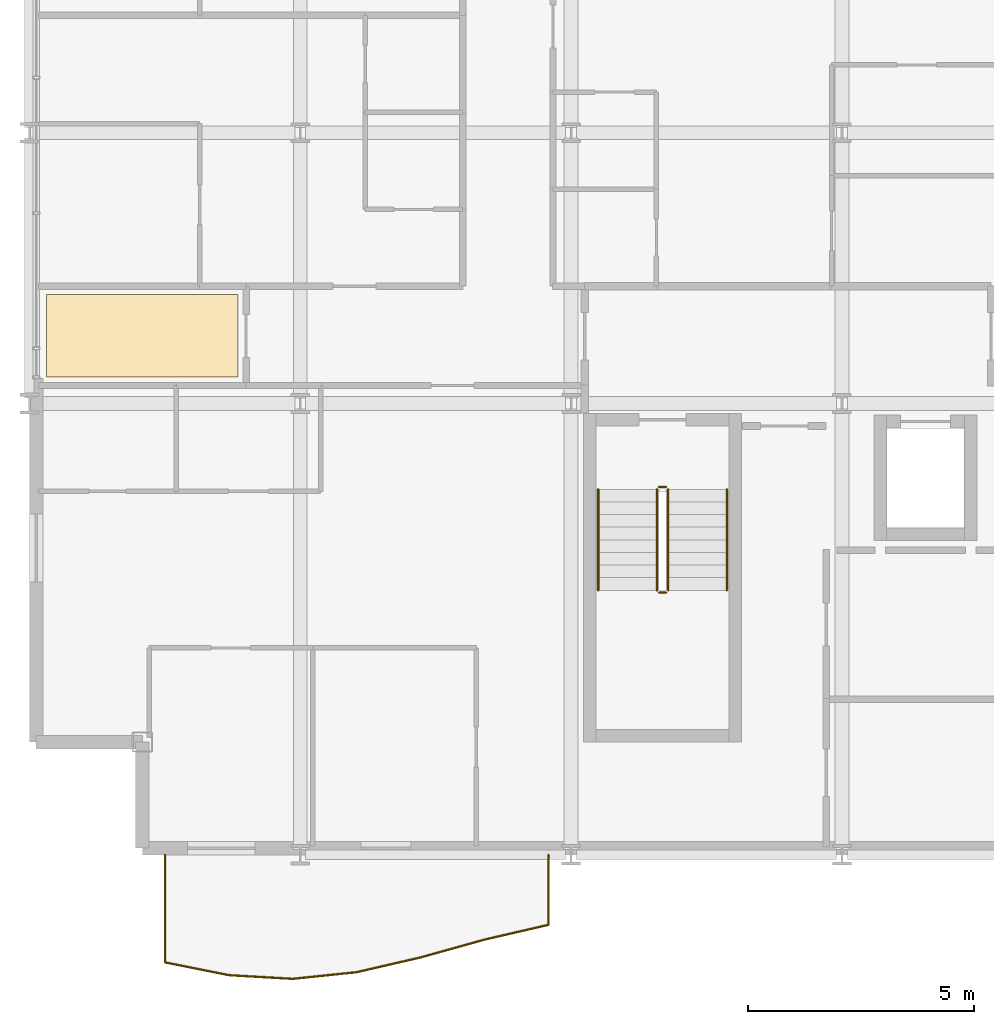
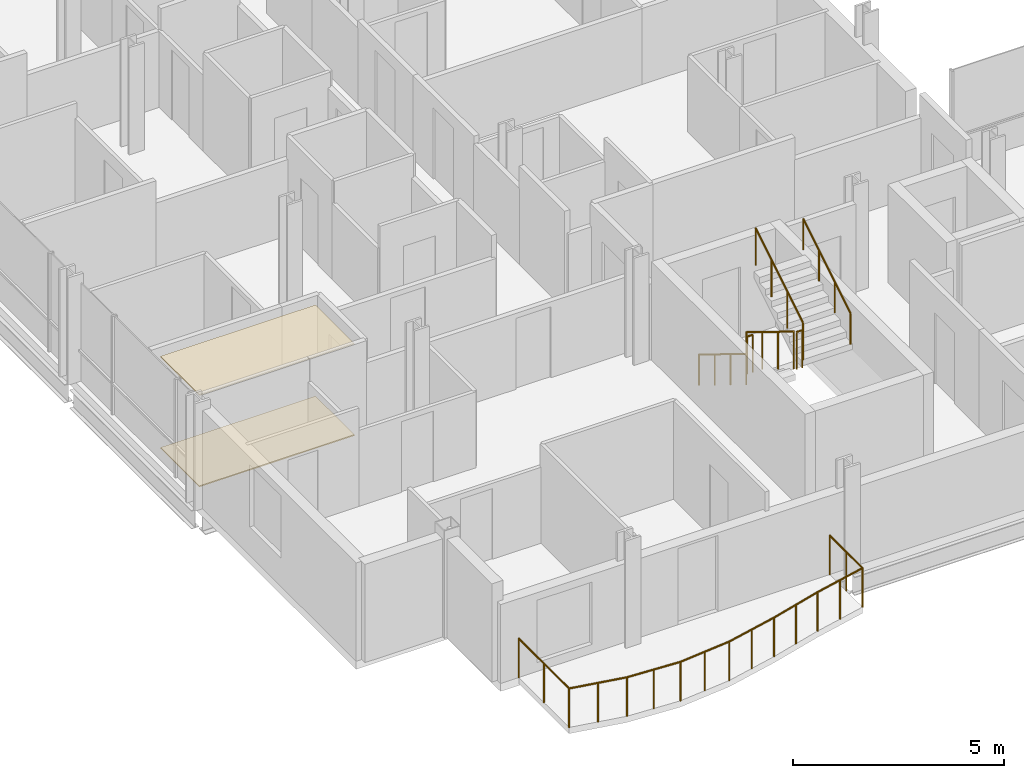
# One storey, part 38 of 41: 7 railings, 2 coverings.
"""IFC4 building model written with IfcOpenShell, lengths in metres."""

import ifcopenshell
import ifcopenshell.guid

model = None  # the IFC model being written
_history = None  # IfcOwnerHistory: only IFC2X3 demands one
_inside = {}  # id of a spatial element -> (the spatial element, [elements in it])
_under = {}  # id of a project, library or spatial element -> (it, [spatial elements below it])
_declared = {}  # id of a project -> (the project, [libraries it declares])
_typed = {}  # id of a type object -> (the type object, [elements of that type])
_made_of = {}  # id of a material, layer set ... -> (it, [elements and type objects made of it])


def new_model(schema):
    """Start an empty IFC model of exactly this schema.

    Asked for "IFC4X3", IfcOpenShell would pick the latest addendum, in which some entities
    have other attributes; the version numbers below select the first issue.
    IFC2X3 requires an IfcOwnerHistory on every rooted entity: one is made here for all.
    """
    global model, _history
    if schema == "IFC4X3":
        model = ifcopenshell.file(schema_version=(4, 3, 0, 0))
    else:
        model = ifcopenshell.file(schema=schema)
    _inside.clear()
    _under.clear()
    _declared.clear()
    _typed.clear()
    _made_of.clear()
    _history = None
    if model.schema == "IFC2X3":
        org = make("IfcOrganization", Name="unknown")
        user = make(
            "IfcPersonAndOrganization",
            ThePerson=make("IfcPerson", FamilyName="unknown"),
            TheOrganization=org,
        )
        app = make(
            "IfcApplication",
            ApplicationDeveloper=org,
            Version="unknown",
            ApplicationFullName="unknown",
            ApplicationIdentifier="unknown",
        )
        _history = make(
            "IfcOwnerHistory",
            OwningUser=user,
            OwningApplication=app,
            ChangeAction="ADDED",
            CreationDate=0,
        )
    return model


def make(cls, **values):
    """One entity of the class cls with the attributes given. An attribute that is None is left unset."""
    return model.create_entity(
        cls, **{name: value for name, value in values.items() if value is not None}
    )


def rooted(cls, **values):
    """An entity with a GlobalId (a new one), such as an element, a storey or a relation."""
    return make(cls, GlobalId=ifcopenshell.guid.new(), OwnerHistory=_history, **values)


def si_unit(unit_type, name, prefix=None):
    """IfcSIUnit, for example si_unit("LENGTHUNIT", "METRE", prefix="MILLI")."""
    return make("IfcSIUnit", UnitType=unit_type, Prefix=prefix, Name=name)


def assignment(units):
    """IfcUnitAssignment: the units of a project."""
    return None if units is None else make("IfcUnitAssignment", Units=units)


def point(xyz):
    """IfcCartesianPoint."""
    return None if xyz is None else make("IfcCartesianPoint", Coordinates=xyz)


def direction(xyz):
    """IfcDirection."""
    return None if xyz is None else make("IfcDirection", DirectionRatios=xyz)


def frame(location, z_axis=None, x_axis=None):
    """IfcAxis2Placement3D, a coordinate frame: its origin and axes. An axis left out is left unset."""
    return make(
        "IfcAxis2Placement3D",
        Location=point(location),
        Axis=direction(z_axis),
        RefDirection=direction(x_axis),
    )


def frame_2d(location, x_axis=None):
    """IfcAxis2Placement2D, a coordinate frame in the plane: its origin and x axis."""
    return make(
        "IfcAxis2Placement2D", Location=point(location), RefDirection=direction(x_axis)
    )


def origin():
    """The frame at (0, 0, 0) with its axes left unset."""
    return frame((0.0, 0.0, 0.0))


def origin_2d():
    """The frame at (0, 0) in the plane with its x axis left unset."""
    return frame_2d((0.0, 0.0))


def place(relative_to, where):
    """IfcLocalPlacement: puts the frame where relative to a parent placement (None: the world)."""
    return make(
        "IfcLocalPlacement", PlacementRelTo=relative_to, RelativePlacement=where
    )


def context(
    kind, dimensions, precision=None, world=None, true_north=None, identifier=None
):
    """IfcGeometricRepresentationContext, for example the 3D "Model" context."""
    return make(
        "IfcGeometricRepresentationContext",
        ContextIdentifier=identifier,
        ContextType=kind,
        CoordinateSpaceDimension=dimensions,
        Precision=precision,
        WorldCoordinateSystem=world,
        TrueNorth=true_north,
    )


def subcontext(parent, identifier, kind, view, scale=None):
    """IfcGeometricRepresentationSubContext, for example "Body" below "Model"."""
    return make(
        "IfcGeometricRepresentationSubContext",
        ContextIdentifier=identifier,
        ContextType=kind,
        ParentContext=parent,
        TargetScale=scale,
        TargetView=view,
    )


def project(units=None, contexts=None):
    """IfcProject with its units and contexts."""
    return rooted(
        "IfcProject",
        Name="project",
        RepresentationContexts=contexts,
        UnitsInContext=assignment(units),
    )


def spatial(cls, under=None, at=None, **own):
    """A site, building, storey or space (cls), placed at a placement, below another one or the project."""
    s = rooted(cls, ObjectPlacement=at, **own)
    if under is not None:
        _under.setdefault(under.id(), (under, []))[1].append(s)
    return s


def polyline(points):
    """IfcPolyline through the points."""
    return make("IfcPolyline", Points=[point(p) for p in points])


def profile(cls, at=None, kind="AREA", **sizes):
    """A parametric profile (cls). Its sizes go by their IFC names, for example OverallWidth=200.0."""
    return make(cls, ProfileType=kind, Position=at, **sizes)


def circle(**sizes):
    """IfcCircleProfileDef."""
    return profile("IfcCircleProfileDef", **sizes)


def outline(outer, holes=None, kind="AREA"):
    """IfcArbitraryClosedProfileDef: a profile drawn as a closed curve; with holes, ...WithVoids."""
    if holes is None:
        return make("IfcArbitraryClosedProfileDef", ProfileType=kind, OuterCurve=outer)
    return make(
        "IfcArbitraryProfileDefWithVoids",
        ProfileType=kind,
        OuterCurve=outer,
        InnerCurves=holes,
    )


def extrude(swept, where, along, depth):
    """IfcExtrudedAreaSolid: the profile swept, set in the frame where, extruded along a direction by depth."""
    return make(
        "IfcExtrudedAreaSolid",
        SweptArea=swept,
        Position=where,
        ExtrudedDirection=direction(along),
        Depth=depth,
    )


def shape(context_of_items, identifier, shape_type, items):
    """IfcShapeRepresentation: the items that make up one representation, for example the "Body"."""
    return make(
        "IfcShapeRepresentation",
        ContextOfItems=context_of_items,
        RepresentationIdentifier=identifier,
        RepresentationType=shape_type,
        Items=items,
    )


def material(Name=None, Category=None):
    """IfcMaterial."""
    return make("IfcMaterial", Name=Name, Category=Category)


def layer(
    of_material, thickness, ventilated=None, Name=None, Category=None, Priority=None
):
    """IfcMaterialLayer: one layer of a wall or slab, of a material (None: an air gap)."""
    return make(
        "IfcMaterialLayer",
        Material=of_material,
        LayerThickness=thickness,
        IsVentilated=ventilated,
        Name=Name,
        Category=Category,
        Priority=Priority,
    )


def layer_set(layers, Name=None):
    """IfcMaterialLayerSet."""
    return make("IfcMaterialLayerSet", MaterialLayers=layers, LayerSetName=Name)


def made_of(thing, what):
    """Note that an element or type object is made of a material, layer set ...; save() writes the relation."""
    if what is not None:
        _made_of.setdefault(what.id(), (what, []))[1].append(thing)
    return thing


def type_object(cls, material=None, **own):
    """A type object (cls), such as IfcWallType, which elements share."""
    return made_of(rooted(cls, **own), material)


def element(
    cls,
    number,
    at=None,
    inside=None,
    cuts=None,
    type_object=None,
    material=None,
    context=None,
    identifier="Body",
    shape_type=None,
    held_by="IfcProductDefinitionShape",
    body=None,
    shapes=None,
    **own,
):
    """One element of the class cls, such as IfcWall. Its Tag is "e" and its number.

    at: its placement. inside: the storey or other place that contains it. cuts: it is an
    opening in that element (IfcRelVoidsElement). A single representation is given by context,
    identifier, shape_type and body (its items); several are given by shapes. held_by: the class
    of the entity that holds the representations. save() writes the other relations.
    """
    e = rooted(cls, Tag="e%d" % number, ObjectPlacement=at, **own)
    if body is not None:
        shapes = [shape(context, identifier, shape_type, body)]
    if shapes is not None:
        e.Representation = make(held_by, Representations=shapes)
    if inside is not None:
        _inside.setdefault(inside.id(), (inside, []))[1].append(e)
    if cuts is not None:
        rooted(
            "IfcRelVoidsElement", RelatingBuildingElement=cuts, RelatedOpeningElement=e
        )
    if type_object is not None:
        _typed.setdefault(type_object.id(), (type_object, []))[1].append(e)
    return made_of(e, material)


def aggregate(whole, parts):
    """IfcRelAggregates: a whole, such as a stair, and the parts it consists of."""
    return rooted("IfcRelAggregates", RelatingObject=whole, RelatedObjects=parts)


def save(model, path):
    """Write the relations noted so far, then the file.

    IfcRelAggregates (storeys below a building ...), IfcRelContainedInSpatialStructure (elements
    in a storey), IfcRelDefinesByType, IfcRelAssociatesMaterial and IfcRelDeclares: one each for
    every whole, place, type object, material and project.
    """
    for whole, parts in _under.values():
        aggregate(whole, parts)
    for where, things in _inside.values():
        rooted(
            "IfcRelContainedInSpatialStructure",
            RelatedElements=things,
            RelatingStructure=where,
        )
    for kind, things in _typed.values():
        rooted("IfcRelDefinesByType", RelatedObjects=things, RelatingType=kind)
    for what, things in _made_of.values():
        rooted("IfcRelAssociatesMaterial", RelatedObjects=things, RelatingMaterial=what)
    for by, libraries in _declared.values():
        rooted("IfcRelDeclares", RelatingContext=by, RelatedDefinitions=libraries)
    model.write(path)


model = new_model("IFC4")

# Units and contexts
model_context = context("Model", 3, precision=1e-05, world=origin(), true_north=direction((0.0, 1.0)))
body_context = subcontext(model_context, "Body", "Model", "MODEL_VIEW")
ifc_project = project(units=[si_unit("LENGTHUNIT", "METRE"), si_unit("AREAUNIT", "SQUARE_METRE"), si_unit("VOLUMEUNIT", "CUBIC_METRE"), si_unit("PLANEANGLEUNIT", "RADIAN"), si_unit("MASSUNIT", "GRAM", prefix="KILO")], contexts=[model_context])

# Site, building, storey
site_placement = place(None, origin())
site = spatial("IfcSite", under=ifc_project, at=site_placement, CompositionType="ELEMENT")
building_placement = place(site_placement, origin())
building = spatial("IfcBuilding", under=site, at=building_placement, Name="Brevholm Reach", CompositionType="ELEMENT")
storey_placement = place(building_placement, frame((0.0, 0.0, 93.10009765625)))
storey = spatial("IfcBuildingStorey", under=building, at=storey_placement, Name="L27", CompositionType="ELEMENT", Elevation=93.10009765625)

# Coverings
ifc_material_1 = material(Name="Moisture-Resistant Skimmed Gypsum Plasterboard Ceiling", Category="gypsum")
ifc_layer_1 = layer(ifc_material_1, 0.030029296875)
ifc_layer_set_1 = layer_set([ifc_layer_1], Name="Moisture-Resistant Skimmed Gypsum Plasterboard Ceiling")
covering_type_1 = type_object("IfcCoveringType", Name="COV-CLG-GYP", PredefinedType="CEILING", material=ifc_layer_set_1)
covering_1_placement = place(storey_placement, frame((0.0, 0.0, 2.639892578125)))
element("IfcCovering", 1, at=covering_1_placement, inside=storey, type_object=covering_type_1, Name="L27 Suspended Ceiling L27-33", PredefinedType="CEILING", context=body_context, shape_type="SweptSolid", body=[
    extrude(outline(polyline([(0.3798828125, 12.419921875), (4.615966796875, 12.419921875), (4.615966796875, 10.583984375), (0.3798828125, 10.583984375), (0.3798828125, 12.419921875)])), origin(), (0.0, 0.0, 1.0), 0.030029296875),
])
ifc_material_2 = material(Name="Honed Portland-Aggregate Resin Terrazzo Flooring", Category="concrete")
ifc_layer_2 = layer(ifc_material_2, 0.031982421875)
ifc_layer_set_2 = layer_set([ifc_layer_2], Name="Honed Portland-Aggregate Resin Terrazzo Flooring")
covering_type_2 = type_object("IfcCoveringType", Name="COV-FLR-TRZ", PredefinedType="FLOORING", material=ifc_layer_set_2)
covering_2_placement = place(storey_placement, origin())
element("IfcCovering", 2, at=covering_2_placement, inside=storey, type_object=covering_type_2, Name="L27 Floor Finish L27-33", PredefinedType="FLOORING", context=body_context, shape_type="SweptSolid", body=[
    extrude(outline(polyline([(0.3798828125, 12.419921875), (4.615966796875, 12.419921875), (4.615966796875, 10.583984375), (0.3798828125, 10.583984375), (0.3798828125, 12.419921875)])), origin(), (0.0, 0.0, 1.0), 0.031982421875),
])

# Railings
ifc_material_3 = material(Name="Brushed Stainless Steel EN 1.4401 and Laminated Glass", Category="steel")
railing_type_1 = type_object("IfcRailingType", Name="RAL-BALC-1150", PredefinedType="BALUSTRADE", material=ifc_material_3)
railing_1_placement = place(storey_placement, frame((3.0, 0.0, 0.0)))
element("IfcRailing", 3, at=railing_1_placement, inside=storey, type_object=railing_type_1, Name="L27 Guard Balustrade RAL-L27-BAL-SW", PredefinedType="BALUSTRADE", context=body_context, shape_type="SweptSolid", body=[
    extrude(circle(Radius=0.02392578125, at=origin_2d()), frame((0.0, 0.0, 1.1259765625), z_axis=(0.0, -1.0, 0.0), x_axis=(1.0, 0.0, 0.0)), (0.0, 0.0, 1.0), 2.38134765625),
    extrude(circle(Radius=0.02392578125, at=origin_2d()), frame((0.0, -2.38134765625, 1.1259765625), z_axis=(0.980502614423, -0.196506038355, 0.0), x_axis=(0.196506038355, 0.980502614423, 0.0)), (0.0, 0.0, 1.0), 1.44482421875),
    extrude(circle(Radius=0.02392578125, at=origin_2d()), frame((1.416748046875, -2.665283203125, 1.1259765625), z_axis=(0.998327360231, -0.057814200799, 0.0), x_axis=(0.057814200799, 0.998327360231, 0.0)), (0.0, 0.0, 1.0), 1.4189453125),
    extrude(circle(Radius=0.02392578125, at=origin_2d()), frame((2.833251953125, -2.747314453125, 1.1259765625), z_axis=(0.994609205974, 0.103694394212, 0.0), x_axis=(-0.103694394212, 0.994609205974, 0.0)), (0.0, 0.0, 1.0), 1.42431640625),
    extrude(circle(Radius=0.02392578125, at=origin_2d()), frame((4.25, -2.599609375, 1.1259765625), z_axis=(0.974360057668, 0.224994395533, 0.0), x_axis=(-0.224994395533, 0.974360057668, 0.0)), (0.0, 0.0, 1.0), 1.4541015625),
    extrude(circle(Radius=0.02392578125, at=origin_2d()), frame((5.666748046875, -2.2724609375, 1.1259765625), z_axis=(0.963289212232, 0.268465814578, 0.0), x_axis=(-0.268465814578, 0.963289212232, 0.0)), (0.0, 0.0, 1.0), 1.470458984375),
    extrude(circle(Radius=0.02392578125, at=origin_2d()), frame((7.083251953125, -1.877685546875, 1.1259765625), z_axis=(0.974323236677, 0.225153792932, 0.0), x_axis=(-0.225153792932, 0.974323236677, 0.0)), (0.0, 0.0, 1.0), 1.4541015625),
    extrude(circle(Radius=0.02392578125, at=origin_2d()), frame((8.5, -1.55029296875, 1.1259765625), z_axis=(0.0, 1.0, 0.0), x_axis=(-1.0, 0.0, 0.0)), (0.0, 0.0, 1.0), 1.55029296875),
    extrude(circle(Radius=0.02099609375, at=origin_2d()), origin(), (0.0, 0.0, 1.0), 1.101806640625),
    extrude(circle(Radius=0.02099609375, at=origin_2d()), frame((0.0, -1.190673828125, 0.0)), (0.0, 0.0, 1.0), 1.101806640625),
    extrude(circle(Radius=0.02099609375, at=origin_2d()), frame((0.0, -2.38134765625, 0.0)), (0.0, 0.0, 1.0), 1.101806640625),
    extrude(circle(Radius=0.02099609375, at=origin_2d()), frame((0.70849609375, -2.5234375, 0.0)), (0.0, 0.0, 1.0), 1.101806640625),
    extrude(circle(Radius=0.02099609375, at=origin_2d()), frame((1.416748046875, -2.665283203125, 0.0)), (0.0, 0.0, 1.0), 1.101806640625),
    extrude(circle(Radius=0.02099609375, at=origin_2d()), frame((2.125, -2.706298828125, 0.0)), (0.0, 0.0, 1.0), 1.101806640625),
    extrude(circle(Radius=0.02099609375, at=origin_2d()), frame((2.833251953125, -2.747314453125, 0.0)), (0.0, 0.0, 1.0), 1.101806640625),
    extrude(circle(Radius=0.02099609375, at=origin_2d()), frame((3.54150390625, -2.67333984375, 0.0)), (0.0, 0.0, 1.0), 1.101806640625),
    extrude(circle(Radius=0.02099609375, at=origin_2d()), frame((4.25, -2.599609375, 0.0)), (0.0, 0.0, 1.0), 1.101806640625),
    extrude(circle(Radius=0.02099609375, at=origin_2d()), frame((4.95849609375, -2.43603515625, 0.0)), (0.0, 0.0, 1.0), 1.101806640625),
    extrude(circle(Radius=0.02099609375, at=origin_2d()), frame((5.666748046875, -2.2724609375, 0.0)), (0.0, 0.0, 1.0), 1.101806640625),
    extrude(circle(Radius=0.02099609375, at=origin_2d()), frame((6.375, -2.0751953125, 0.0)), (0.0, 0.0, 1.0), 1.101806640625),
    extrude(circle(Radius=0.02099609375, at=origin_2d()), frame((7.083251953125, -1.877685546875, 0.0)), (0.0, 0.0, 1.0), 1.101806640625),
    extrude(circle(Radius=0.02099609375, at=origin_2d()), frame((7.79150390625, -1.7138671875, 0.0)), (0.0, 0.0, 1.0), 1.101806640625),
    extrude(circle(Radius=0.02099609375, at=origin_2d()), frame((8.5, -1.55029296875, 0.0)), (0.0, 0.0, 1.0), 1.101806640625),
    extrude(circle(Radius=0.02099609375, at=origin_2d()), frame((8.5, -0.775146484375, 0.0)), (0.0, 0.0, 1.0), 1.101806640625),
    extrude(circle(Radius=0.02099609375, at=origin_2d()), frame((8.5, 0.0, 0.0)), (0.0, 0.0, 1.0), 1.101806640625),
])
ifc_material_4 = material(Name="Brushed Stainless Steel EN 1.4401 Continuous Handrail", Category="steel")
railing_type_2 = type_object("IfcRailingType", Name="RAL-HND-950", PredefinedType="HANDRAIL", material=ifc_material_4)
railing_2_placement = place(storey_placement, frame((12.60009765625, 8.10009765625, 0.172119140625)))
element("IfcRailing", 4, at=railing_2_placement, inside=storey, type_object=railing_type_2, Name="L27 ST-1 stair handrail 1", PredefinedType="HANDRAIL", context=body_context, shape_type="SweptSolid", body=[
    extrude(circle(Radius=0.02392578125, at=origin_2d()), frame((0.0, 0.0, 0.8857421875), z_axis=(0.0, -0.85178898068, 0.523885037382), x_axis=(1.0, 0.0, 0.0)), (0.0, 0.0, 1.0), 2.629638671875),
    extrude(circle(Radius=0.02099609375, at=origin_2d()), origin(), (0.0, 0.0, 1.0), 0.86181640625),
    extrude(circle(Radius=0.02099609375, at=origin_2d()), frame((0.0, -0.74658203125, 0.459228515625)), (0.0, 0.0, 1.0), 0.86181640625),
    extrude(circle(Radius=0.02099609375, at=origin_2d()), frame((0.0, -1.493408203125, 0.91845703125)), (0.0, 0.0, 1.0), 0.86181640625),
    extrude(circle(Radius=0.02099609375, at=origin_2d()), frame((0.0, -2.239990234375, 1.377685546875)), (0.0, 0.0, 1.0), 0.86181640625),
])
railing_3_placement = place(storey_placement, frame((15.449951171875, 5.860107421875, 1.72216796875)))
element("IfcRailing", 5, at=railing_3_placement, inside=storey, type_object=railing_type_2, Name="L27 ST-1 stair handrail 2", PredefinedType="HANDRAIL", context=body_context, shape_type="SweptSolid", body=[
    extrude(circle(Radius=0.02392578125, at=origin_2d()), frame((0.0, 0.0, 0.8857421875), z_axis=(0.0, 0.85178898068, 0.523885037382), x_axis=(-1.0, 0.0, 0.0)), (0.0, 0.0, 1.0), 2.629638671875),
    extrude(circle(Radius=0.02099609375, at=origin_2d()), origin(), (0.0, 0.0, 1.0), 0.86181640625),
    extrude(circle(Radius=0.02099609375, at=origin_2d()), frame((0.0, 0.74658203125, 0.459228515625)), (0.0, 0.0, 1.0), 0.86181640625),
    extrude(circle(Radius=0.02099609375, at=origin_2d()), frame((0.0, 1.493408203125, 0.91845703125)), (0.0, 0.0, 1.0), 0.86181640625),
    extrude(circle(Radius=0.02099609375, at=origin_2d()), frame((0.0, 2.239990234375, 1.377685546875)), (0.0, 0.0, 1.0), 0.86181640625),
])
ifc_material_5 = material(Name="Painted Tubular Galvanised Steel S275JR Stair Guard", Category="steel")
railing_type_3 = type_object("IfcRailingType", Name="RAL-STG-1120", PredefinedType="BALUSTRADE", material=ifc_material_5)
railing_4_placement = place(storey_placement, frame((13.89990234375, 8.10009765625, 0.172119140625)))
element("IfcRailing", 6, at=railing_4_placement, inside=storey, type_object=railing_type_3, Name="L27 ST-1 stair guard 1", PredefinedType="BALUSTRADE", context=body_context, shape_type="SweptSolid", body=[
    extrude(circle(Radius=0.02392578125, at=origin_2d()), frame((0.0, 0.0, 1.076171875), z_axis=(0.0, -0.85178898068, 0.523885037382), x_axis=(1.0, 0.0, 0.0)), (0.0, 0.0, 1.0), 2.629638671875),
    extrude(circle(Radius=0.02099609375, at=origin_2d()), origin(), (0.0, 0.0, 1.0), 1.052001953125),
    extrude(circle(Radius=0.02099609375, at=origin_2d()), frame((0.0, -0.74658203125, 0.459228515625)), (0.0, 0.0, 1.0), 1.052001953125),
    extrude(circle(Radius=0.02099609375, at=origin_2d()), frame((0.0, -1.493408203125, 0.91845703125)), (0.0, 0.0, 1.0), 1.052001953125),
    extrude(circle(Radius=0.02099609375, at=origin_2d()), frame((0.0, -2.239990234375, 1.377685546875)), (0.0, 0.0, 1.0), 1.052001953125),
])
railing_5_placement = place(storey_placement, frame((13.949951171875, 5.81005859375, 1.5498046875)))
element("IfcRailing", 7, at=railing_5_placement, inside=storey, type_object=railing_type_3, Name="L27 ST-1 stair guard 2", PredefinedType="BALUSTRADE", context=body_context, shape_type="SweptSolid", body=[
    extrude(circle(Radius=0.02392578125, at=origin_2d()), frame((0.0, 0.0, 1.076171875), z_axis=(1.0, 0.0, 0.0), x_axis=(0.0, 1.0, 0.0)), (0.0, 0.0, 1.0), 0.150146484375),
    extrude(circle(Radius=0.02099609375, at=origin_2d()), origin(), (0.0, 0.0, 1.0), 1.052001953125),
    extrude(circle(Radius=0.02099609375, at=origin_2d()), frame((0.150146484375, 0.0, 0.0)), (0.0, 0.0, 1.0), 1.052001953125),
])
railing_6_placement = place(storey_placement, frame((14.14990234375, 5.860107421875, 1.72216796875)))
element("IfcRailing", 8, at=railing_6_placement, inside=storey, type_object=railing_type_3, Name="L27 ST-1 stair guard 3", PredefinedType="BALUSTRADE", context=body_context, shape_type="SweptSolid", body=[
    extrude(circle(Radius=0.02392578125, at=origin_2d()), frame((0.0, 0.0, 1.076171875), z_axis=(0.0, 0.85178898068, 0.523885037382), x_axis=(-1.0, 0.0, 0.0)), (0.0, 0.0, 1.0), 2.629638671875),
    extrude(circle(Radius=0.02099609375, at=origin_2d()), origin(), (0.0, 0.0, 1.0), 1.052001953125),
    extrude(circle(Radius=0.02099609375, at=origin_2d()), frame((0.0, 0.74658203125, 0.459228515625)), (0.0, 0.0, 1.0), 1.052001953125),
    extrude(circle(Radius=0.02099609375, at=origin_2d()), frame((0.0, 1.493408203125, 0.91845703125)), (0.0, 0.0, 1.0), 1.052001953125),
    extrude(circle(Radius=0.02099609375, at=origin_2d()), frame((0.0, 2.239990234375, 1.377685546875)), (0.0, 0.0, 1.0), 1.052001953125),
])
railing_7_placement = place(storey_placement, frame((13.949951171875, 8.14990234375, 0.0)))
element("IfcRailing", 9, at=railing_7_placement, inside=storey, type_object=railing_type_3, Name="L27 ST-1 stair guard 4", PredefinedType="BALUSTRADE", context=body_context, shape_type="SweptSolid", body=[
    extrude(circle(Radius=0.02392578125, at=origin_2d()), frame((0.0, 0.0, 1.076171875), z_axis=(1.0, 0.0, 0.0), x_axis=(0.0, 1.0, 0.0)), (0.0, 0.0, 1.0), 0.150146484375),
    extrude(circle(Radius=0.02099609375, at=origin_2d()), origin(), (0.0, 0.0, 1.0), 1.052001953125),
    extrude(circle(Radius=0.02099609375, at=origin_2d()), frame((0.150146484375, 0.0, 0.0)), (0.0, 0.0, 1.0), 1.052001953125),
])

save(model, "model.ifc")
